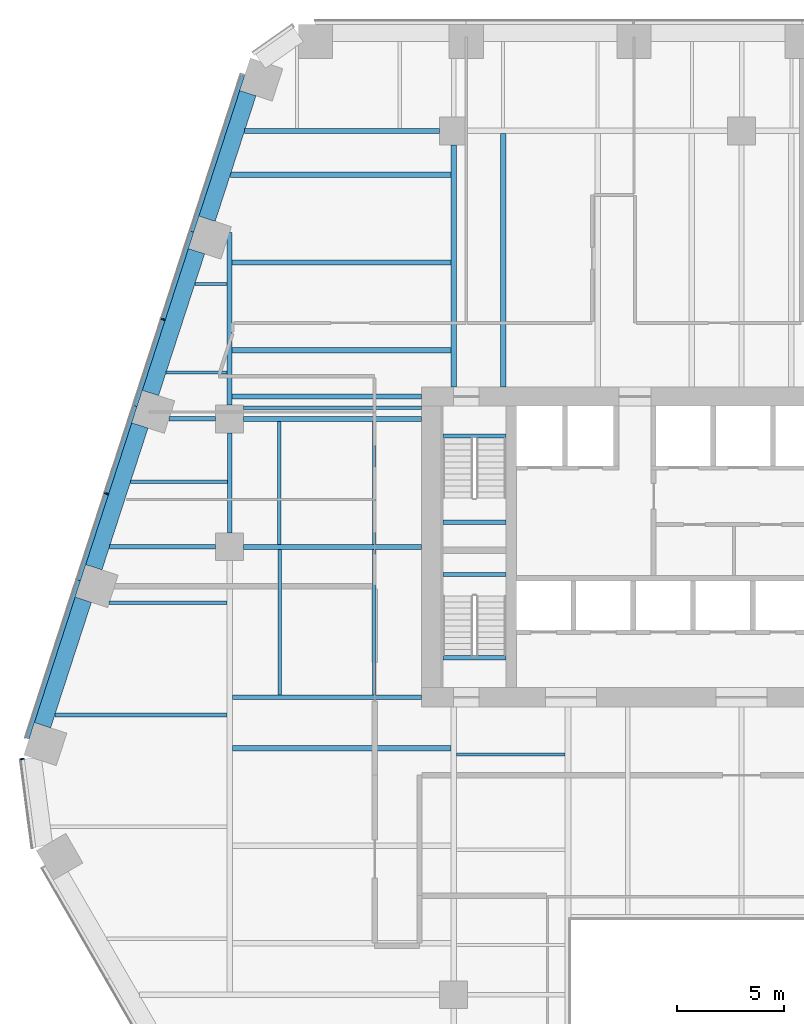
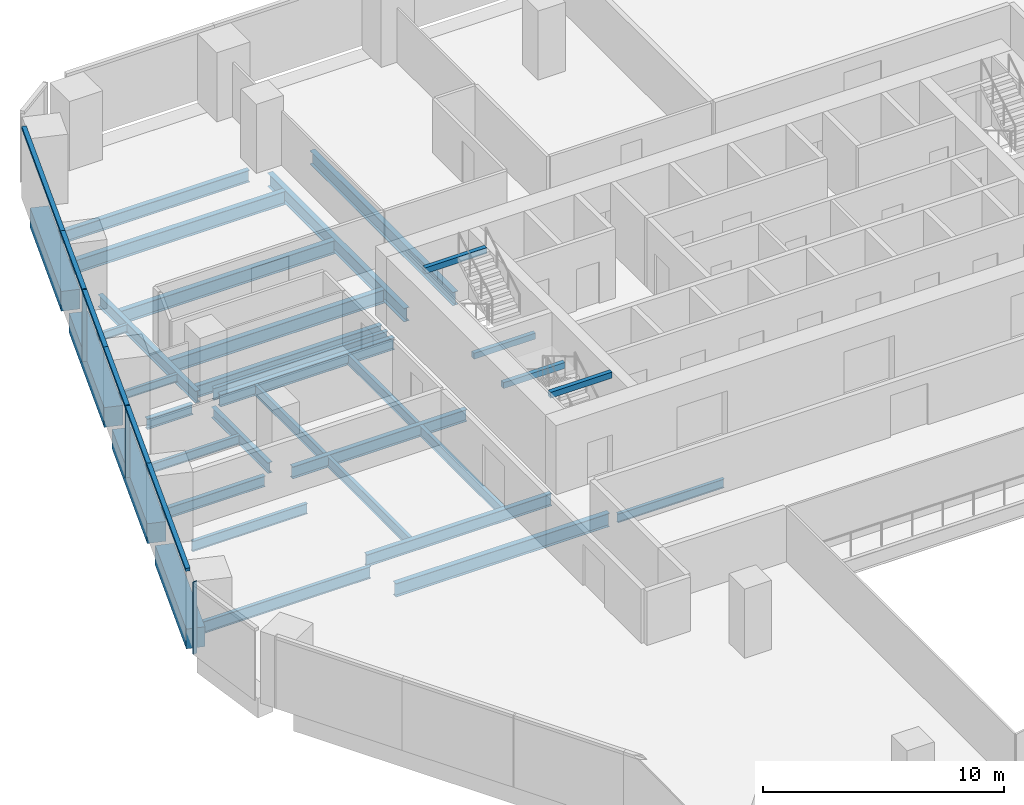
# One storey, part 8 of 19: 34 beams, 9 members, 2 elements without a shape of their own.
"""IFC4 building model written with IfcOpenShell, lengths in metres."""

from ifc_helpers import new_model, si_unit, direction, frame, origin, origin_2d, place, context, subcontext, project, spatial, rectangle, i_section, extrude, material, layer, layer_set, material_profile, profile_set, type_object, element, aggregate, save


model = new_model("IFC4")

# Units and contexts
model_context = context("Model", 3, precision=1e-05, world=origin(), true_north=direction((0.0, 1.0)))
body_context = subcontext(model_context, "Body", "Model", "MODEL_VIEW")
ifc_project = project(units=[si_unit("LENGTHUNIT", "METRE"), si_unit("AREAUNIT", "SQUARE_METRE"), si_unit("VOLUMEUNIT", "CUBIC_METRE"), si_unit("PLANEANGLEUNIT", "RADIAN"), si_unit("MASSUNIT", "GRAM", prefix="KILO")], contexts=[model_context])

# Site, building, storey
site_placement = place(None, origin())
site = spatial("IfcSite", under=ifc_project, at=site_placement, CompositionType="ELEMENT")
building_placement = place(site_placement, origin())
building = spatial("IfcBuilding", under=site, at=building_placement, Name="Isthmus Gate Tower", CompositionType="ELEMENT")
storey_placement = place(building_placement, frame((0.0, 0.0, 95.25)))
storey = spatial("IfcBuildingStorey", under=building, at=storey_placement, Name="L22", CompositionType="ELEMENT", Elevation=95.25)

# Curtain wall, members
ifc_material_1 = material(Name="Aluminium, pale champagne anodised", Category="aluminium")
ifc_layer = layer(ifc_material_1, 0.199951171875)
ifc_layer_set = layer_set([ifc_layer], Name="CW-1 UNITISED CURTAIN WALL 200 DEEP")
curtain_wall_type = type_object("IfcCurtainWallType", Name="CW-1 UNITISED CURTAIN WALL 200 DEEP", PredefinedType="NOTDEFINED", material=ifc_layer_set)
curtain_wall_1_placement = place(storey_placement, origin())
curtain_wall_1 = element("IfcCurtainWall", 1, at=curtain_wall_1_placement, inside=storey, type_object=curtain_wall_type, Name="CW-1 NW L22", PredefinedType="NOTDEFINED")
ifc_material_2 = material(Name="Aluminium, pale champagne anodised", Category="aluminium")
ifc_material_profile_1 = material_profile(ifc_material_2, rectangle(XDim=0.06005859375, YDim=0.199951171875, at=origin_2d()), Name="60x200")
ifc_profile_set_1 = profile_set([ifc_material_profile_1], Name="Aluminium, pale champagne anodised")
member_type_1 = type_object("IfcMemberType", Name="CW-1 MULLION 60 X 200", PredefinedType="MULLION", material=ifc_profile_set_1)
member_1_placement = place(storey_placement, frame((-27.11474609375, 18.163818359375, 0.0), z_axis=(0.0, 0.0, 1.0), x_axis=(-0.309016994375, -0.951056516295, 0.0)))
member_1 = element("IfcMember", 2, at=member_1_placement, type_object=member_type_1, Name="CW-1 mullion", PredefinedType="MULLION", context=body_context, shape_type="SweptSolid", body=[
    extrude(rectangle(XDim=0.06005859375, YDim=0.199951171875, at=origin_2d()), origin(), (0.0, 0.0, 1.0), 3.64990234375),
])
member_2_placement = place(storey_placement, frame((-29.76904296875, 9.994873046875, 0.0), z_axis=(0.0, 0.0, 1.0), x_axis=(-0.309016994375, -0.951056516295, 0.0)))
member_2 = element("IfcMember", 3, at=member_2_placement, type_object=member_type_1, Name="CW-1 mullion", PredefinedType="MULLION", context=body_context, shape_type="SweptSolid", body=[
    extrude(rectangle(XDim=0.06005859375, YDim=0.199951171875, at=origin_2d()), origin(), (0.0, 0.0, 1.0), 3.64990234375),
])

# Curtain wall, member
curtain_wall_2_placement = place(storey_placement, origin())
curtain_wall_2 = element("IfcCurtainWall", 4, at=curtain_wall_2_placement, inside=storey, type_object=curtain_wall_type, Name="CW-1 NW-SW L22", PredefinedType="NOTDEFINED")
member_3_placement = place(storey_placement, frame((-33.722900390625, -2.44482421875, 0.0), z_axis=(0.0, 0.0, 1.0), x_axis=(0.129164534, -0.991623175988, 0.0)))
member_3 = element("IfcMember", 5, at=member_3_placement, type_object=member_type_1, Name="CW-1 mullion", PredefinedType="MULLION", context=body_context, shape_type="SweptSolid", body=[
    extrude(rectangle(XDim=0.06005859375, YDim=0.199951171875, at=origin_2d()), origin(), (0.0, 0.0, 1.0), 3.64990234375),
])
aggregate(curtain_wall_2, [member_3])

# Member
ifc_material_3 = material(Name="Aluminium, pale champagne anodised", Category="aluminium")
ifc_material_profile_2 = material_profile(ifc_material_3, rectangle(XDim=0.199951171875, YDim=0.14990234375, at=origin_2d()), Name="200x150")
ifc_profile_set_2 = profile_set([ifc_material_profile_2], Name="Aluminium, pale champagne anodised")
member_type_2 = type_object("IfcMemberType", Name="CW-1 TRANSOM 200 X 150", PredefinedType="USERDEFINED", material=ifc_profile_set_2)
member_4_placement = place(storey_placement, frame((-23.389892578125, 29.6279296875, 3.574951171875), z_axis=(-0.309036077329, -0.951050315656, 0.0), x_axis=(0.951050315656, -0.309036077329, 0.0)))
member_4 = element("IfcMember", 6, at=member_4_placement, type_object=member_type_2, Name="CW-1 transom", ObjectType="TRANSOM", PredefinedType="USERDEFINED", context=body_context, shape_type="SweptSolid", body=[
    extrude(rectangle(XDim=0.199951171875, YDim=0.14990234375, at=origin_2d()), origin(), (0.0, 0.0, 1.0), 7.7294921875),
])

member_5_placement = place(storey_placement, frame((-25.778564453125, 22.27685546875, 3.574951171875), z_axis=(-0.309021801109, -0.951054954479, 0.0), x_axis=(0.951054954479, -0.309021801109, 0.0)))
member_5 = element("IfcMember", 7, at=member_5_placement, type_object=member_type_2, Name="CW-1 transom", ObjectType="TRANSOM", PredefinedType="USERDEFINED", context=body_context, shape_type="SweptSolid", body=[
    extrude(rectangle(XDim=0.199951171875, YDim=0.14990234375, at=origin_2d()), origin(), (0.0, 0.0, 1.0), 4.294677734375),
])

member_6_placement = place(storey_placement, frame((-27.1240234375, 18.13525390625, 3.574951171875), z_axis=(-0.309023496777, -0.951054403512, 0.0), x_axis=(0.951054403512, -0.309023496777, 0.0)))
member_6 = element("IfcMember", 8, at=member_6_placement, type_object=member_type_2, Name="CW-1 transom", ObjectType="TRANSOM", PredefinedType="USERDEFINED", context=body_context, shape_type="SweptSolid", body=[
    extrude(rectangle(XDim=0.199951171875, YDim=0.14990234375, at=origin_2d()), origin(), (0.0, 0.0, 1.0), 4.234619140625),
])

member_7_placement = place(storey_placement, frame((-28.4326171875, 14.10791015625, 3.574951171875), z_axis=(-0.309021801109, -0.951054954479, 0.0), x_axis=(0.951054954479, -0.309021801109, 0.0)))
member_7 = element("IfcMember", 9, at=member_7_placement, type_object=member_type_2, Name="CW-1 transom", ObjectType="TRANSOM", PredefinedType="USERDEFINED", context=body_context, shape_type="SweptSolid", body=[
    extrude(rectangle(XDim=0.199951171875, YDim=0.14990234375, at=origin_2d()), origin(), (0.0, 0.0, 1.0), 4.294677734375),
])

member_8_placement = place(storey_placement, frame((-29.7783203125, 9.96630859375, 3.574951171875), z_axis=(-0.309023496777, -0.951054403512, 0.0), x_axis=(0.951054403512, -0.309023496777, 0.0)))
member_8 = element("IfcMember", 10, at=member_8_placement, type_object=member_type_2, Name="CW-1 transom", ObjectType="TRANSOM", PredefinedType="USERDEFINED", context=body_context, shape_type="SweptSolid", body=[
    extrude(rectangle(XDim=0.199951171875, YDim=0.14990234375, at=origin_2d()), origin(), (0.0, 0.0, 1.0), 4.234619140625),
])

member_9_placement = place(storey_placement, frame((-31.0869140625, 5.93896484375, 3.574951171875), z_axis=(-0.309015907338, -0.951056869494, 0.0), x_axis=(0.951056869494, -0.309015907338, 0.0)))
member_9 = element("IfcMember", 11, at=member_9_placement, type_object=member_type_2, Name="CW-1 transom", ObjectType="TRANSOM", PredefinedType="USERDEFINED", context=body_context, shape_type="SweptSolid", body=[
    extrude(rectangle(XDim=0.199951171875, YDim=0.14990234375, at=origin_2d()), origin(), (0.0, 0.0, 1.0), 7.789306640625),
])

aggregate(curtain_wall_1, [member_4, member_5, member_1, member_6, member_7, member_2, member_8, member_9])

# Beams
ifc_material_4 = material(Name="Concrete f'c 70 MPa", Category="concrete")
ifc_material_profile_3 = material_profile(ifc_material_4, rectangle(XDim=0.800048828125, YDim=1.0, at=origin_2d()), Name="RC 800X1000")
ifc_profile_set_3 = profile_set([ifc_material_profile_3], Name="Concrete f'c 70 MPa")
beam_type_1 = type_object("IfcBeamType", Name="RC SPANDREL 800 X 1000", PredefinedType="SPANDREL", material=ifc_profile_set_3)
beam_1_placement = place(storey_placement, frame((-32.771240234375, -0.86279296875, -0.5), z_axis=(0.309012042366, 0.951058125286, 0.0), x_axis=(-0.951058125286, 0.309012042366, 0.0)))
element("IfcBeam", 12, at=beam_1_placement, inside=storey, type_object=beam_type_1, Name="str-spandrel-L22-18", PredefinedType="SPANDREL", context=body_context, shape_type="SweptSolid", body=[
    extrude(rectangle(XDim=0.800048828125, YDim=1.0, at=origin_2d()), origin(), (0.0, 0.0, 1.0), 6.189453125),
])
for number, where, z_axis, x_axis, name in (
    (13, (-30.3642578125, 6.54541015625, -0.5), (0.309029993465, 0.951052292537, 0.0), (-0.951052292537, 0.309029993465, 0.0), "str-spandrel-L22-19"),
    (14, (-27.7099609375, 14.71435546875, -0.5), (0.309029993465, 0.951052292537, 0.0), (-0.951052292537, 0.309029993465, 0.0), "str-spandrel-L22-20"),
):
    element("IfcBeam", number, at=place(storey_placement, frame(where, z_axis=z_axis, x_axis=x_axis)), inside=storey, type_object=beam_type_1, Name=name, PredefinedType="SPANDREL", context=body_context, shape_type="SweptSolid", body=[
        extrude(rectangle(XDim=0.800048828125, YDim=1.0, at=origin_2d()), origin(), (0.0, 0.0, 1.0), 6.9892578125),
    ])
beam_2_placement = place(storey_placement, frame((-25.0556640625, 22.88330078125, -0.5), z_axis=(0.309023635203, 0.951054358534, 0.0), x_axis=(-0.951054358534, 0.309023635203, 0.0)))
element("IfcBeam", 15, at=beam_2_placement, inside=storey, type_object=beam_type_1, Name="str-spandrel-L22-21", PredefinedType="SPANDREL", context=body_context, shape_type="SweptSolid", body=[
    extrude(rectangle(XDim=0.800048828125, YDim=1.0, at=origin_2d()), origin(), (0.0, 0.0, 1.0), 6.189208984375),
])
ifc_material_5 = material(Name="Concrete f'c 40 MPa", Category="concrete")
ifc_material_profile_4 = material_profile(ifc_material_5, rectangle(XDim=0.199951171875, YDim=0.300048828125, at=origin_2d()), Name="STAIR LANDING BEAM RC 200 X 300")
ifc_profile_set_4 = profile_set([ifc_material_profile_4], Name="Concrete f'c 40 MPa")
beam_type_2 = type_object("IfcBeamType", Name="STAIR LANDING BEAM RC 200 X 300", PredefinedType="BEAM", material=ifc_profile_set_4)
for number, where, z_axis, x_axis, name in (
    (16, (-14.0, 8.64990234375, 1.47509765625), (1.0, 0.0, 0.0), (0.0, 1.0, 0.0), "L22 ST1 landing beam 1"),
    (17, (-14.0, 12.7001953125, 3.35009765625), (1.0, 0.0, 0.0), (0.0, 1.0, 0.0), "L22 ST1 floor-edge seat beam"),
    (18, (-14.0, 6.199951171875, 1.47509765625), (1.0, 0.0, 0.0), (0.0, 1.0, 0.0), "L22 ST7 landing beam 1"),
    (19, (-14.0, 2.2998046875, 3.35009765625), (1.0, 0.0, 0.0), (0.0, 1.0, 0.0), "L22 ST7 floor-edge seat beam"),
):
    element("IfcBeam", number, at=place(storey_placement, frame(where, z_axis=z_axis, x_axis=x_axis)), inside=storey, type_object=beam_type_2, Name=name, PredefinedType="BEAM", context=body_context, shape_type="SweptSolid", body=[
        extrude(rectangle(XDim=0.199951171875, YDim=0.300048828125, at=origin_2d()), origin(), (0.0, 0.0, 1.0), 2.949951171875),
    ])
ifc_material_6 = material(Name="Structural steel ASTM A992 Gr 50", Category="steel")
ifc_material_profile_5 = material_profile(ifc_material_6, i_section(OverallWidth=0.1396484375, OverallDepth=0.4033203125, WebThickness=0.00634765625, FlangeThickness=0.010986328125, at=origin_2d()), Name="W16X31")
ifc_profile_set_5 = profile_set([ifc_material_profile_5], Name="Structural steel ASTM A992 Gr 50")
beam_type_3 = type_object("IfcBeamType", Name="STEEL FLOOR BEAM W16X31", PredefinedType="JOIST", material=ifc_profile_set_5)
beam_3_placement = place(storey_placement, frame((-26.976318359375, 15.677978515625, -0.3515625), z_axis=(1.0, 0.0, 0.0), x_axis=(0.0, 1.0, 0.0)))
element("IfcBeam", 20, at=beam_3_placement, inside=storey, type_object=beam_type_3, Name="str-beam-L22-02-00", PredefinedType="JOIST", context=body_context, shape_type="SweptSolid", body=[
    extrude(i_section(OverallWidth=0.1396484375, OverallDepth=0.4033203125, WebThickness=0.00634765625, FlangeThickness=0.010986328125, at=origin_2d()), origin(), (0.0, 0.0, 1.0), 2.862060546875),
])
beam_4_placement = place(storey_placement, frame((-25.629150390625, 19.82421875, -0.3515625), z_axis=(1.0, 0.0, 0.0), x_axis=(0.0, 1.0, 0.0)))
element("IfcBeam", 21, at=beam_4_placement, inside=storey, type_object=beam_type_3, Name="str-beam-L22-02-01", PredefinedType="JOIST", context=body_context, shape_type="SweptSolid", body=[
    extrude(i_section(OverallWidth=0.1396484375, OverallDepth=0.4033203125, WebThickness=0.00634765625, FlangeThickness=0.010986328125, at=origin_2d()), origin(), (0.0, 0.0, 1.0), 1.514892578125),
])
ifc_material_7 = material(Name="Structural steel ASTM A992 Gr 50", Category="steel")
ifc_material_profile_6 = material_profile(ifc_material_7, i_section(OverallWidth=0.15234375, OverallDepth=0.45068359375, WebThickness=0.0078125, FlangeThickness=0.010986328125, at=origin_2d()), Name="W18X35")
ifc_profile_set_6 = profile_set([ifc_material_profile_6], Name="Structural steel ASTM A992 Gr 50")
beam_type_4 = type_object("IfcBeamType", Name="STEEL FLOOR BEAM W18X35", PredefinedType="JOIST", material=ifc_profile_set_6)
beam_5_placement = place(storey_placement, frame((-28.6416015625, 10.552490234375, -0.37548828125), z_axis=(1.0, 0.0, 0.0), x_axis=(0.0, 1.0, 0.0)))
element("IfcBeam", 22, at=beam_5_placement, inside=storey, type_object=beam_type_4, Name="str-beam-L22-01-00", PredefinedType="JOIST", context=body_context, shape_type="SweptSolid", body=[
    extrude(i_section(OverallWidth=0.15234375, OverallDepth=0.45068359375, WebThickness=0.0078125, FlangeThickness=0.010986328125, at=origin_2d()), origin(), (0.0, 0.0, 1.0), 4.536865234375),
])
beam_6_placement = place(storey_placement, frame((-13.3681640625, -2.232421875, -0.37548828125), z_axis=(1.0, 0.0, 0.0), x_axis=(0.0, 1.0, 0.0)))
element("IfcBeam", 23, at=beam_6_placement, inside=storey, type_object=beam_type_4, Name="str-beam-L22-12-02", PredefinedType="JOIST", context=body_context, shape_type="SweptSolid", body=[
    extrude(i_section(OverallWidth=0.15234375, OverallDepth=0.45068359375, WebThickness=0.0078125, FlangeThickness=0.010986328125, at=origin_2d()), origin(), (0.0, 0.0, 1.0), 5.1015625),
])
ifc_material_8 = material(Name="Structural steel ASTM A992 Gr 50", Category="steel")
ifc_material_profile_7 = material_profile(ifc_material_8, i_section(OverallWidth=0.1650390625, OverallDepth=0.52392578125, WebThickness=0.009521484375, FlangeThickness=0.010986328125, at=origin_2d()), Name="W21X44")
ifc_profile_set_7 = profile_set([ifc_material_profile_7], Name="Structural steel ASTM A992 Gr 50")
beam_type_5 = type_object("IfcBeamType", Name="STEEL FLOOR BEAM W21X44", PredefinedType="JOIST", material=ifc_profile_set_7)
beam_7_placement = place(storey_placement, frame((-29.645263671875, 4.875, -0.411865234375), z_axis=(1.0, 0.0, 0.0), x_axis=(0.0, 1.0, 0.0)))
element("IfcBeam", 24, at=beam_7_placement, inside=storey, type_object=beam_type_5, Name="str-beam-L22-00-03", PredefinedType="JOIST", context=body_context, shape_type="SweptSolid", body=[
    extrude(i_section(OverallWidth=0.1650390625, OverallDepth=0.52392578125, WebThickness=0.009521484375, FlangeThickness=0.010986328125, at=origin_2d()), origin(), (0.0, 0.0, 1.0), 5.511962890625),
])
for number, where, z_axis, x_axis, name in (
    (25, (-21.64990234375, 0.564208984375, -0.411865234375), (0.0, 1.0, 0.0), (-1.0, 0.0, 0.0), "str-beam-L22-03-00"),
    (26, (-17.216552734375, 0.564208984375, -0.411865234375), (0.0, 1.0, 0.0), (-1.0, 0.0, 0.0), "str-beam-L22-03-01"),
):
    element("IfcBeam", number, at=place(storey_placement, frame(where, z_axis=z_axis, x_axis=x_axis)), inside=storey, type_object=beam_type_5, Name=name, PredefinedType="JOIST", context=body_context, shape_type="SweptSolid", body=[
        extrude(i_section(OverallWidth=0.1650390625, OverallDepth=0.52392578125, WebThickness=0.009521484375, FlangeThickness=0.010986328125, at=origin_2d()), origin(), (0.0, 0.0, 1.0), 6.821533203125),
    ])
for number, where, z_axis, x_axis, name in (
    (27, (-21.67138671875, 7.6142578125, -0.411865234375), (0.0, 1.0, 0.0), (-1.0, 0.0, 0.0), "str-beam-L22-04-00"),
    (28, (-17.223876953125, 7.6142578125, -0.411865234375), (0.0, 1.0, 0.0), (-1.0, 0.0, 0.0), "str-beam-L22-04-01"),
):
    element("IfcBeam", number, at=place(storey_placement, frame(where, z_axis=z_axis, x_axis=x_axis)), inside=storey, type_object=beam_type_5, Name=name, PredefinedType="JOIST", context=body_context, shape_type="SweptSolid", body=[
        extrude(i_section(OverallWidth=0.1650390625, OverallDepth=0.52392578125, WebThickness=0.009521484375, FlangeThickness=0.010986328125, at=origin_2d()), origin(), (0.0, 0.0, 1.0), 5.771484375),
    ])
ifc_material_9 = material(Name="Structural steel ASTM A992 Gr 50", Category="steel")
ifc_material_profile_8 = material_profile(ifc_material_9, i_section(OverallWidth=0.177734375, OverallDepth=0.60009765625, WebThickness=0.009521484375, FlangeThickness=0.0126953125, at=origin_2d()), Name="W24X55")
ifc_profile_set_8 = profile_set([ifc_material_profile_8], Name="Structural steel ASTM A992 Gr 50")
beam_type_6 = type_object("IfcBeamType", Name="STEEL FLOOR BEAM W24X55", PredefinedType="JOIST", material=ifc_profile_set_8)
beam_8_placement = place(storey_placement, frame((-32.192138671875, -0.375, -0.449951171875), z_axis=(1.0, 0.0, 0.0), x_axis=(0.0, 1.0, 0.0)))
element("IfcBeam", 29, at=beam_8_placement, inside=storey, type_object=beam_type_6, Name="str-beam-L22-00-02", PredefinedType="JOIST", context=body_context, shape_type="SweptSolid", body=[
    extrude(i_section(OverallWidth=0.177734375, OverallDepth=0.60009765625, WebThickness=0.009521484375, FlangeThickness=0.0126953125, at=origin_2d()), origin(), (0.0, 0.0, 1.0), 8.058837890625),
])
beam_9_placement = place(storey_placement, frame((-23.35009765625, 14.02490234375, -0.449951171875), z_axis=(1.0, 0.0, 0.0), x_axis=(0.0, 1.0, 0.0)))
element("IfcBeam", 30, at=beam_9_placement, inside=storey, type_object=beam_type_6, Name="str-beam-L22-05-00", PredefinedType="JOIST", context=body_context, shape_type="SweptSolid", body=[
    extrude(i_section(OverallWidth=0.177734375, OverallDepth=0.60009765625, WebThickness=0.009521484375, FlangeThickness=0.0126953125, at=origin_2d()), origin(), (0.0, 0.0, 1.0), 8.35009765625),
])
ifc_material_10 = material(Name="Structural steel ASTM A992 Gr 50", Category="steel")
ifc_material_profile_9 = material_profile(ifc_material_10, i_section(OverallWidth=0.25390625, OverallDepth=0.679443359375, WebThickness=0.010986328125, FlangeThickness=0.015869140625, at=origin_2d()), Name="W27X84")
ifc_profile_set_9 = profile_set([ifc_material_profile_9], Name="Structural steel ASTM A992 Gr 50")
beam_type_7 = type_object("IfcBeamType", Name="STEEL FLOOR BEAM W27X84", PredefinedType="JOIST", material=ifc_profile_set_9)
for number, where, z_axis, x_axis, name in (
    (31, (-23.8857421875, 16.72021484375, -0.48974609375), (1.0, 0.0, 0.0), (0.0, 1.0, 0.0), "str-beam-L22-07-00"),
    (32, (-23.8857421875, 20.83203125, -0.48974609375), (1.0, 0.0, 0.0), (0.0, 1.0, 0.0), "str-beam-L22-07-01"),
):
    element("IfcBeam", number, at=place(storey_placement, frame(where, z_axis=z_axis, x_axis=x_axis)), inside=storey, type_object=beam_type_7, Name=name, PredefinedType="JOIST", context=body_context, shape_type="SweptSolid", body=[
        extrude(i_section(OverallWidth=0.25390625, OverallDepth=0.679443359375, WebThickness=0.010986328125, FlangeThickness=0.015869140625, at=origin_2d()), origin(), (0.0, 0.0, 1.0), 10.2587890625),
    ])
beam_10_placement = place(storey_placement, frame((-23.965576171875, 24.944091796875, -0.48974609375), z_axis=(1.0, 0.0, 0.0), x_axis=(0.0, 1.0, 0.0)))
element("IfcBeam", 33, at=beam_10_placement, inside=storey, type_object=beam_type_7, Name="str-beam-L22-07-02", PredefinedType="JOIST", context=body_context, shape_type="SweptSolid", body=[
    extrude(i_section(OverallWidth=0.25390625, OverallDepth=0.679443359375, WebThickness=0.010986328125, FlangeThickness=0.015869140625, at=origin_2d()), origin(), (0.0, 0.0, 1.0), 10.338623046875),
])
beam_11_placement = place(storey_placement, frame((-23.86669921875, -1.947998046875, -0.48974609375), z_axis=(1.0, 0.0, 0.0), x_axis=(0.0, 1.0, 0.0)))
element("IfcBeam", 34, at=beam_11_placement, inside=storey, type_object=beam_type_7, Name="str-beam-L22-08-02", PredefinedType="JOIST", context=body_context, shape_type="SweptSolid", body=[
    extrude(i_section(OverallWidth=0.25390625, OverallDepth=0.679443359375, WebThickness=0.010986328125, FlangeThickness=0.015869140625, at=origin_2d()), origin(), (0.0, 0.0, 1.0), 10.23486328125),
])
beam_12_placement = place(storey_placement, frame((-11.165283203125, 15.0, -0.48974609375), z_axis=(0.0, 1.0, 0.0), x_axis=(-1.0, 0.0, 0.0)))
element("IfcBeam", 35, at=beam_12_placement, inside=storey, type_object=beam_type_7, Name="str-beam-L22-14-00", PredefinedType="JOIST", context=body_context, shape_type="SweptSolid", body=[
    extrude(i_section(OverallWidth=0.25390625, OverallDepth=0.679443359375, WebThickness=0.010986328125, FlangeThickness=0.015869140625, at=origin_2d()), origin(), (0.0, 0.0, 1.0), 11.8681640625),
])
ifc_material_11 = material(Name="Structural steel ASTM A992 Gr 50", Category="steel")
ifc_material_profile_10 = material_profile(ifc_material_11, i_section(OverallWidth=0.20947265625, OverallDepth=0.533447265625, WebThickness=0.009521484375, FlangeThickness=0.015869140625, at=origin_2d()), Name="W21X62")
ifc_profile_set_10 = profile_set([ifc_material_profile_10], Name="Structural steel ASTM A992 Gr 50")
beam_type_8 = type_object("IfcBeamType", Name="STEEL GIRDER W21X62", PredefinedType="BEAM", material=ifc_profile_set_10)
beam_13_placement = place(storey_placement, frame((-29.633544921875, 7.5, -0.416748046875), z_axis=(1.0, 0.0, 0.0), x_axis=(0.0, 1.0, 0.0)))
element("IfcBeam", 36, at=beam_13_placement, inside=storey, type_object=beam_type_8, Name="str-girder-L22-09", PredefinedType="BEAM", context=body_context, shape_type="SweptSolid", body=[
    extrude(i_section(OverallWidth=0.20947265625, OverallDepth=0.533447265625, WebThickness=0.009521484375, FlangeThickness=0.015869140625, at=origin_2d()), origin(), (0.0, 0.0, 1.0), 4.983642578125),
])
beam_14_placement = place(storey_placement, frame((-26.8427734375, 13.5, -0.416748046875), z_axis=(1.0, 0.0, 0.0), x_axis=(0.0, 1.0, 0.0)))
element("IfcBeam", 37, at=beam_14_placement, inside=storey, type_object=beam_type_8, Name="str-girder-L22-13", PredefinedType="BEAM", context=body_context, shape_type="SweptSolid", body=[
    extrude(i_section(OverallWidth=0.20947265625, OverallDepth=0.533447265625, WebThickness=0.009521484375, FlangeThickness=0.015869140625, at=origin_2d()), origin(), (0.0, 0.0, 1.0), 2.19287109375),
])
beam_15_placement = place(storey_placement, frame((-24.0, 8.14990234375, -0.416748046875), z_axis=(0.0, 1.0, 0.0), x_axis=(-1.0, 0.0, 0.0)))
element("IfcBeam", 38, at=beam_15_placement, inside=storey, type_object=beam_type_8, Name="str-girder-L22-22", PredefinedType="BEAM", context=body_context, shape_type="SweptSolid", body=[
    extrude(i_section(OverallWidth=0.20947265625, OverallDepth=0.533447265625, WebThickness=0.009521484375, FlangeThickness=0.015869140625, at=origin_2d()), origin(), (0.0, 0.0, 1.0), 4.7001953125),
])
ifc_material_12 = material(Name="Structural steel ASTM A992 Gr 50", Category="steel")
ifc_material_profile_11 = material_profile(ifc_material_12, i_section(OverallWidth=0.228515625, OverallDepth=0.6064453125, WebThickness=0.010986328125, FlangeThickness=0.017578125, at=origin_2d()), Name="W24X76")
ifc_profile_set_11 = profile_set([ifc_material_profile_11], Name="Structural steel ASTM A992 Gr 50")
beam_type_9 = type_object("IfcBeamType", Name="STEEL GIRDER W24X76", PredefinedType="BEAM", material=ifc_profile_set_11)
for number, where, z_axis, x_axis, name in (
    (39, (-23.35009765625, 7.5, -0.453125), (1.0, 0.0, 0.0), (0.0, 1.0, 0.0), "str-girder-L22-10"),
    (40, (-23.35009765625, 13.5, -0.453125), (1.0, 0.0, 0.0), (0.0, 1.0, 0.0), "str-girder-L22-14"),
):
    element("IfcBeam", number, at=place(storey_placement, frame(where, z_axis=z_axis, x_axis=x_axis)), inside=storey, type_object=beam_type_9, Name=name, PredefinedType="BEAM", context=body_context, shape_type="SweptSolid", body=[
        extrude(i_section(OverallWidth=0.228515625, OverallDepth=0.6064453125, WebThickness=0.010986328125, FlangeThickness=0.017578125, at=origin_2d()), origin(), (0.0, 0.0, 1.0), 8.35009765625),
    ])
beam_16_placement = place(storey_placement, frame((-23.297607421875, 27.0, -0.453125), z_axis=(1.0, 0.0, 0.0), x_axis=(0.0, 1.0, 0.0)))
element("IfcBeam", 41, at=beam_16_placement, inside=storey, type_object=beam_type_9, Name="str-girder-L22-17", PredefinedType="BEAM", context=body_context, shape_type="SweptSolid", body=[
    extrude(i_section(OverallWidth=0.228515625, OverallDepth=0.6064453125, WebThickness=0.010986328125, FlangeThickness=0.017578125, at=origin_2d()), origin(), (0.0, 0.0, 1.0), 9.147705078125),
])
beam_17_placement = place(storey_placement, frame((-24.0, 14.14990234375, -0.453125), z_axis=(0.0, 1.0, 0.0), x_axis=(-1.0, 0.0, 0.0)))
element("IfcBeam", 42, at=beam_17_placement, inside=storey, type_object=beam_type_9, Name="str-girder-L22-23", PredefinedType="BEAM", context=body_context, shape_type="SweptSolid", body=[
    extrude(i_section(OverallWidth=0.228515625, OverallDepth=0.6064453125, WebThickness=0.010986328125, FlangeThickness=0.017578125, at=origin_2d()), origin(), (0.0, 0.0, 1.0), 8.099365234375),
])
beam_18_placement = place(storey_placement, frame((-15.0, 0.449951171875, -0.453125), z_axis=(-1.0, 0.0, 0.0), x_axis=(0.0, -1.0, 0.0)))
element("IfcBeam", 43, at=beam_18_placement, inside=storey, type_object=beam_type_9, Name="str-girder-L22-39", PredefinedType="BEAM", context=body_context, shape_type="SweptSolid", body=[
    extrude(i_section(OverallWidth=0.228515625, OverallDepth=0.6064453125, WebThickness=0.010986328125, FlangeThickness=0.017578125, at=origin_2d()), origin(), (0.0, 0.0, 1.0), 8.86669921875),
])
beam_19_placement = place(storey_placement, frame((-15.0, 14.550048828125, -0.453125), z_axis=(-1.0, 0.0, 0.0), x_axis=(0.0, -1.0, 0.0)))
element("IfcBeam", 44, at=beam_19_placement, inside=storey, type_object=beam_type_9, Name="str-girder-L22-41", PredefinedType="BEAM", context=body_context, shape_type="SweptSolid", body=[
    extrude(i_section(OverallWidth=0.228515625, OverallDepth=0.6064453125, WebThickness=0.010986328125, FlangeThickness=0.017578125, at=origin_2d()), origin(), (0.0, 0.0, 1.0), 8.8857421875),
])
ifc_material_13 = material(Name="Structural steel ASTM A992 Gr 50", Category="steel")
ifc_material_profile_12 = material_profile(ifc_material_13, i_section(OverallWidth=0.25390625, OverallDepth=0.679443359375, WebThickness=0.010986328125, FlangeThickness=0.015869140625, at=origin_2d()), Name="W27X84")
ifc_profile_set_12 = profile_set([ifc_material_profile_12], Name="Structural steel ASTM A992 Gr 50")
beam_type_10 = type_object("IfcBeamType", Name="STEEL GIRDER W27X84", PredefinedType="BEAM", material=ifc_profile_set_12)
beam_20_placement = place(storey_placement, frame((-13.5, 15.0, -0.48974609375), z_axis=(0.0, 1.0, 0.0), x_axis=(-1.0, 0.0, 0.0)))
element("IfcBeam", 45, at=beam_20_placement, inside=storey, type_object=beam_type_10, Name="str-girder-L22-27", PredefinedType="BEAM", context=body_context, shape_type="SweptSolid", body=[
    extrude(i_section(OverallWidth=0.25390625, OverallDepth=0.679443359375, WebThickness=0.010986328125, FlangeThickness=0.015869140625, at=origin_2d()), origin(), (0.0, 0.0, 1.0), 11.35009765625),
])

save(model, "model.ifc")
